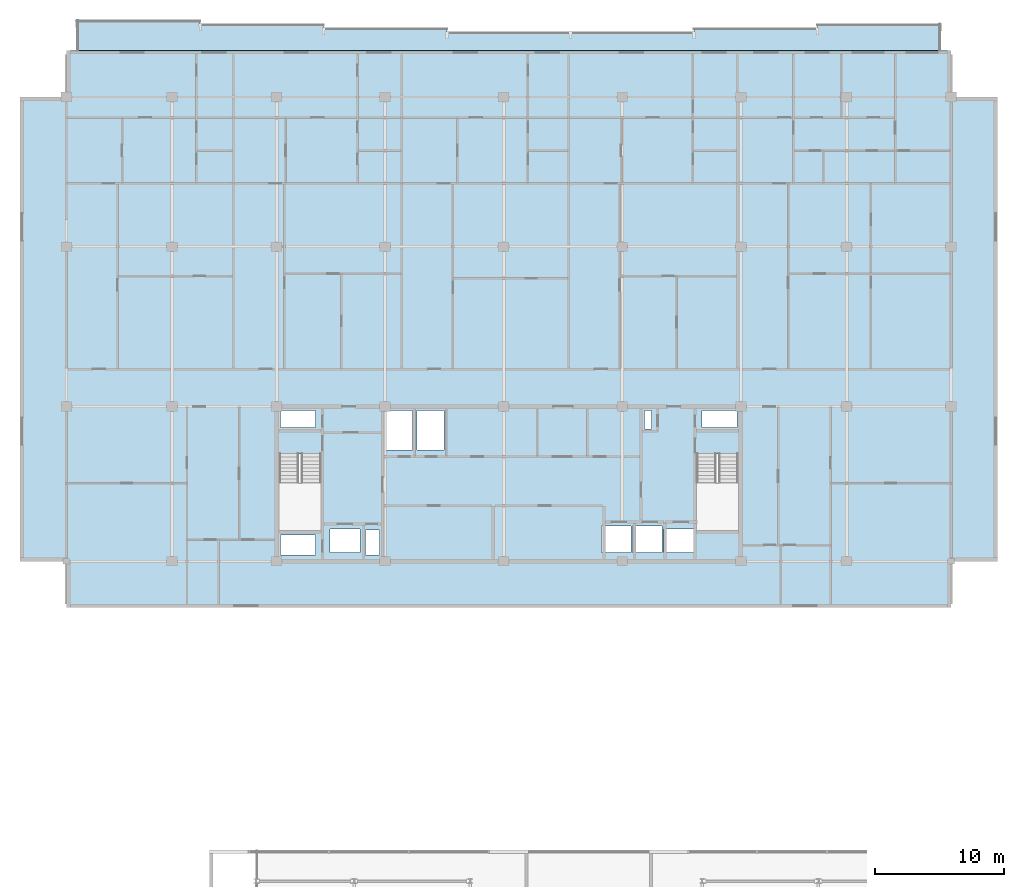
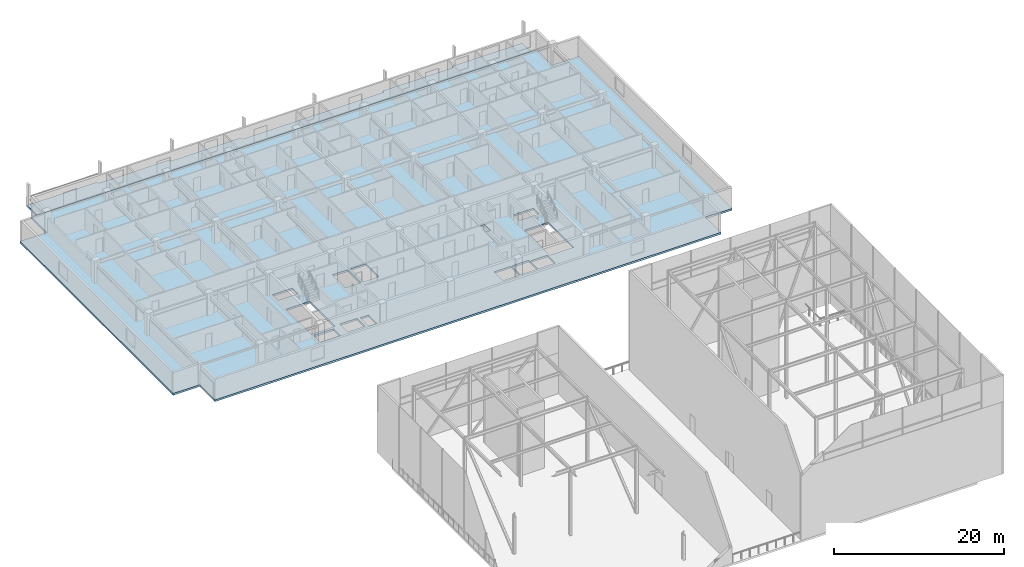
# One storey, part 31 of 42: 2 slabs.
"""IFC4 building model written with IfcOpenShell, lengths in metres."""

import ifcopenshell
import ifcopenshell.guid

model = None  # the IFC model being written
_history = None  # IfcOwnerHistory: only IFC2X3 demands one
_inside = {}  # id of a spatial element -> (the spatial element, [elements in it])
_under = {}  # id of a project, library or spatial element -> (it, [spatial elements below it])
_declared = {}  # id of a project -> (the project, [libraries it declares])
_typed = {}  # id of a type object -> (the type object, [elements of that type])
_made_of = {}  # id of a material, layer set ... -> (it, [elements and type objects made of it])


def new_model(schema):
    """Start an empty IFC model of exactly this schema.

    Asked for "IFC4X3", IfcOpenShell would pick the latest addendum, in which some entities
    have other attributes; the version numbers below select the first issue.
    IFC2X3 requires an IfcOwnerHistory on every rooted entity: one is made here for all.
    """
    global model, _history
    if schema == "IFC4X3":
        model = ifcopenshell.file(schema_version=(4, 3, 0, 0))
    else:
        model = ifcopenshell.file(schema=schema)
    _inside.clear()
    _under.clear()
    _declared.clear()
    _typed.clear()
    _made_of.clear()
    _history = None
    if model.schema == "IFC2X3":
        org = make("IfcOrganization", Name="unknown")
        user = make(
            "IfcPersonAndOrganization",
            ThePerson=make("IfcPerson", FamilyName="unknown"),
            TheOrganization=org,
        )
        app = make(
            "IfcApplication",
            ApplicationDeveloper=org,
            Version="unknown",
            ApplicationFullName="unknown",
            ApplicationIdentifier="unknown",
        )
        _history = make(
            "IfcOwnerHistory",
            OwningUser=user,
            OwningApplication=app,
            ChangeAction="ADDED",
            CreationDate=0,
        )
    return model


def make(cls, **values):
    """One entity of the class cls with the attributes given. An attribute that is None is left unset."""
    return model.create_entity(
        cls, **{name: value for name, value in values.items() if value is not None}
    )


def rooted(cls, **values):
    """An entity with a GlobalId (a new one), such as an element, a storey or a relation."""
    return make(cls, GlobalId=ifcopenshell.guid.new(), OwnerHistory=_history, **values)


def si_unit(unit_type, name, prefix=None):
    """IfcSIUnit, for example si_unit("LENGTHUNIT", "METRE", prefix="MILLI")."""
    return make("IfcSIUnit", UnitType=unit_type, Prefix=prefix, Name=name)


def assignment(units):
    """IfcUnitAssignment: the units of a project."""
    return None if units is None else make("IfcUnitAssignment", Units=units)


def point(xyz):
    """IfcCartesianPoint."""
    return None if xyz is None else make("IfcCartesianPoint", Coordinates=xyz)


def direction(xyz):
    """IfcDirection."""
    return None if xyz is None else make("IfcDirection", DirectionRatios=xyz)


def frame(location, z_axis=None, x_axis=None):
    """IfcAxis2Placement3D, a coordinate frame: its origin and axes. An axis left out is left unset."""
    return make(
        "IfcAxis2Placement3D",
        Location=point(location),
        Axis=direction(z_axis),
        RefDirection=direction(x_axis),
    )


def origin():
    """The frame at (0, 0, 0) with its axes left unset."""
    return frame((0.0, 0.0, 0.0))


def place(relative_to, where):
    """IfcLocalPlacement: puts the frame where relative to a parent placement (None: the world)."""
    return make(
        "IfcLocalPlacement", PlacementRelTo=relative_to, RelativePlacement=where
    )


def context(
    kind, dimensions, precision=None, world=None, true_north=None, identifier=None
):
    """IfcGeometricRepresentationContext, for example the 3D "Model" context."""
    return make(
        "IfcGeometricRepresentationContext",
        ContextIdentifier=identifier,
        ContextType=kind,
        CoordinateSpaceDimension=dimensions,
        Precision=precision,
        WorldCoordinateSystem=world,
        TrueNorth=true_north,
    )


def subcontext(parent, identifier, kind, view, scale=None):
    """IfcGeometricRepresentationSubContext, for example "Body" below "Model"."""
    return make(
        "IfcGeometricRepresentationSubContext",
        ContextIdentifier=identifier,
        ContextType=kind,
        ParentContext=parent,
        TargetScale=scale,
        TargetView=view,
    )


def project(units=None, contexts=None):
    """IfcProject with its units and contexts."""
    return rooted(
        "IfcProject",
        Name="project",
        RepresentationContexts=contexts,
        UnitsInContext=assignment(units),
    )


def spatial(cls, under=None, at=None, **own):
    """A site, building, storey or space (cls), placed at a placement, below another one or the project."""
    s = rooted(cls, ObjectPlacement=at, **own)
    if under is not None:
        _under.setdefault(under.id(), (under, []))[1].append(s)
    return s


def polyline(points):
    """IfcPolyline through the points."""
    return make("IfcPolyline", Points=[point(p) for p in points])


def outline(outer, holes=None, kind="AREA"):
    """IfcArbitraryClosedProfileDef: a profile drawn as a closed curve; with holes, ...WithVoids."""
    if holes is None:
        return make("IfcArbitraryClosedProfileDef", ProfileType=kind, OuterCurve=outer)
    return make(
        "IfcArbitraryProfileDefWithVoids",
        ProfileType=kind,
        OuterCurve=outer,
        InnerCurves=holes,
    )


def extrude(swept, where, along, depth):
    """IfcExtrudedAreaSolid: the profile swept, set in the frame where, extruded along a direction by depth."""
    return make(
        "IfcExtrudedAreaSolid",
        SweptArea=swept,
        Position=where,
        ExtrudedDirection=direction(along),
        Depth=depth,
    )


def shape(context_of_items, identifier, shape_type, items):
    """IfcShapeRepresentation: the items that make up one representation, for example the "Body"."""
    return make(
        "IfcShapeRepresentation",
        ContextOfItems=context_of_items,
        RepresentationIdentifier=identifier,
        RepresentationType=shape_type,
        Items=items,
    )


def material(Name=None, Category=None):
    """IfcMaterial."""
    return make("IfcMaterial", Name=Name, Category=Category)


def layer(
    of_material, thickness, ventilated=None, Name=None, Category=None, Priority=None
):
    """IfcMaterialLayer: one layer of a wall or slab, of a material (None: an air gap)."""
    return make(
        "IfcMaterialLayer",
        Material=of_material,
        LayerThickness=thickness,
        IsVentilated=ventilated,
        Name=Name,
        Category=Category,
        Priority=Priority,
    )


def layer_set(layers, Name=None):
    """IfcMaterialLayerSet."""
    return make("IfcMaterialLayerSet", MaterialLayers=layers, LayerSetName=Name)


def made_of(thing, what):
    """Note that an element or type object is made of a material, layer set ...; save() writes the relation."""
    if what is not None:
        _made_of.setdefault(what.id(), (what, []))[1].append(thing)
    return thing


def type_object(cls, material=None, **own):
    """A type object (cls), such as IfcWallType, which elements share."""
    return made_of(rooted(cls, **own), material)


def element(
    cls,
    number,
    at=None,
    inside=None,
    cuts=None,
    type_object=None,
    material=None,
    context=None,
    identifier="Body",
    shape_type=None,
    held_by="IfcProductDefinitionShape",
    body=None,
    shapes=None,
    **own,
):
    """One element of the class cls, such as IfcWall. Its Tag is "e" and its number.

    at: its placement. inside: the storey or other place that contains it. cuts: it is an
    opening in that element (IfcRelVoidsElement). A single representation is given by context,
    identifier, shape_type and body (its items); several are given by shapes. held_by: the class
    of the entity that holds the representations. save() writes the other relations.
    """
    e = rooted(cls, Tag="e%d" % number, ObjectPlacement=at, **own)
    if body is not None:
        shapes = [shape(context, identifier, shape_type, body)]
    if shapes is not None:
        e.Representation = make(held_by, Representations=shapes)
    if inside is not None:
        _inside.setdefault(inside.id(), (inside, []))[1].append(e)
    if cuts is not None:
        rooted(
            "IfcRelVoidsElement", RelatingBuildingElement=cuts, RelatedOpeningElement=e
        )
    if type_object is not None:
        _typed.setdefault(type_object.id(), (type_object, []))[1].append(e)
    return made_of(e, material)


def aggregate(whole, parts):
    """IfcRelAggregates: a whole, such as a stair, and the parts it consists of."""
    return rooted("IfcRelAggregates", RelatingObject=whole, RelatedObjects=parts)


def save(model, path):
    """Write the relations noted so far, then the file.

    IfcRelAggregates (storeys below a building ...), IfcRelContainedInSpatialStructure (elements
    in a storey), IfcRelDefinesByType, IfcRelAssociatesMaterial and IfcRelDeclares: one each for
    every whole, place, type object, material and project.
    """
    for whole, parts in _under.values():
        aggregate(whole, parts)
    for where, things in _inside.values():
        rooted(
            "IfcRelContainedInSpatialStructure",
            RelatedElements=things,
            RelatingStructure=where,
        )
    for kind, things in _typed.values():
        rooted("IfcRelDefinesByType", RelatedObjects=things, RelatingType=kind)
    for what, things in _made_of.values():
        rooted("IfcRelAssociatesMaterial", RelatedObjects=things, RelatingMaterial=what)
    for by, libraries in _declared.values():
        rooted("IfcRelDeclares", RelatingContext=by, RelatedDefinitions=libraries)
    model.write(path)


model = new_model("IFC4")

# Units and contexts
model_context = context("Model", 3, precision=1e-05, world=origin(), true_north=direction((0.0, 1.0)))
body_context = subcontext(model_context, "Body", "Model", "MODEL_VIEW")
ifc_project = project(units=[si_unit("LENGTHUNIT", "METRE"), si_unit("AREAUNIT", "SQUARE_METRE"), si_unit("VOLUMEUNIT", "CUBIC_METRE"), si_unit("PLANEANGLEUNIT", "RADIAN"), si_unit("MASSUNIT", "GRAM", prefix="KILO")], contexts=[model_context])

# Site, building, storey
site_placement = place(None, origin())
site = spatial("IfcSite", under=ifc_project, at=site_placement, CompositionType="ELEMENT")
building_placement = place(site_placement, origin())
building = spatial("IfcBuilding", under=site, at=building_placement, Name="Korimba Cascade Residences", CompositionType="ELEMENT")
storey_placement = place(building_placement, frame((0.0, 0.0, 207.60009765625)))
storey = spatial("IfcBuildingStorey", under=building, at=storey_placement, Name="L60", CompositionType="ELEMENT", Elevation=207.60009765625)

# Slabs
ifc_material_1 = material(Name="Precast concrete C40/50", Category="concrete")
ifc_layer_1 = layer(ifc_material_1, 0.239990234375)
ifc_layer_set_1 = layer_set([ifc_layer_1], Name="Precast concrete C40/50")
slab_type_1 = type_object("IfcSlabType", Name="SLB-LOG-240", PredefinedType="FLOOR", material=ifc_layer_set_1)
slab_1_placement = place(storey_placement, frame((0.0, 0.0, -0.239990234375)))
element("IfcSlab", 1, at=slab_1_placement, inside=storey, type_object=slab_type_1, Name="L60 Tower 1 North Loggia Slab", PredefinedType="FLOOR", context=body_context, shape_type="SweptSolid", body=[
    extrude(outline(polyline([(60.60009765625, 94.800048828125), (127.60009765625, 94.800048828125), (127.60009765625, 96.85009765625), (118.028564453125, 96.85009765625), (118.028564453125, 96.550048828125), (108.45703125, 96.550048828125), (108.45703125, 96.25), (89.314208984375, 96.25), (89.314208984375, 96.550048828125), (79.742919921875, 96.550048828125), (79.742919921875, 96.85009765625), (70.17138671875, 96.85009765625), (70.17138671875, 97.14990234375), (60.60009765625, 97.14990234375), (60.60009765625, 94.800048828125)])), origin(), (0.0, 0.0, 1.0), 0.239990234375),
])
ifc_material_2 = material(Name="Concrete C50/60", Category="concrete")
ifc_layer_2 = layer(ifc_material_2, 0.280029296875)
ifc_layer_set_2 = layer_set([ifc_layer_2], Name="Concrete C50/60")
slab_type_2 = type_object("IfcSlabType", Name="SLB-TYP-280", PredefinedType="FLOOR", material=ifc_layer_set_2)
slab_2_placement = place(storey_placement, frame((0.0, 0.0, -0.27001953125)))
element("IfcSlab", 2, at=slab_2_placement, inside=storey, type_object=slab_type_2, Name="L60 Tower 1 Floor Slab", PredefinedType="FLOOR", context=body_context, shape_type="SweptSolid", body=[
    extrude(outline(polyline([(59.800048828125, 51.60009765625), (128.39990234375, 51.60009765625), (128.39990234375, 55.199951171875), (132.0, 55.199951171875), (132.0, 91.199951171875), (128.39990234375, 91.199951171875), (128.39990234375, 94.800048828125), (59.800048828125, 94.800048828125), (59.800048828125, 91.199951171875), (56.199951171875, 91.199951171875), (56.199951171875, 55.199951171875), (59.800048828125, 55.199951171875), (59.800048828125, 51.60009765625)]), holes=[polyline([(76.300048828125, 63.514892578125), (76.300048828125, 57.60009765625), (79.5400390625, 57.60009765625), (79.5400390625, 63.514892578125), (76.300048828125, 63.514892578125)]), polyline([(108.659912109375, 63.514892578125), (108.659912109375, 57.60009765625), (111.89990234375, 57.60009765625), (111.89990234375, 63.514892578125), (108.659912109375, 63.514892578125)]), polyline([(80.22998046875, 55.8798828125), (82.570068359375, 55.8798828125), (82.570068359375, 57.719970703125), (80.22998046875, 57.719970703125), (80.22998046875, 55.8798828125)]), polyline([(106.080078125, 55.8798828125), (108.419921875, 55.8798828125), (108.419921875, 57.719970703125), (106.080078125, 57.719970703125), (106.080078125, 55.8798828125)]), polyline([(101.304931640625, 55.8798828125), (103.594970703125, 55.8798828125), (103.594970703125, 57.919921875), (101.304931640625, 57.919921875), (101.304931640625, 55.8798828125)]), polyline([(103.705078125, 55.8798828125), (105.9951171875, 55.8798828125), (105.9951171875, 57.919921875), (103.705078125, 57.919921875), (103.705078125, 55.8798828125)]), polyline([(82.97998046875, 55.679931640625), (84.080078125, 55.679931640625), (84.080078125, 57.6201171875), (82.97998046875, 57.6201171875), (82.97998046875, 55.679931640625)]), polyline([(76.39990234375, 65.56005859375), (79.10009765625, 65.56005859375), (79.10009765625, 66.8798828125), (76.39990234375, 66.8798828125), (76.39990234375, 65.56005859375)]), polyline([(76.39990234375, 55.679931640625), (79.10009765625, 55.679931640625), (79.10009765625, 57.239990234375), (76.39990234375, 57.239990234375), (76.39990234375, 55.679931640625)]), polyline([(84.530029296875, 63.820068359375), (86.6201171875, 63.820068359375), (86.6201171875, 66.8798828125), (84.530029296875, 66.8798828125), (84.530029296875, 63.820068359375)]), polyline([(86.97998046875, 63.820068359375), (89.070068359375, 63.820068359375), (89.070068359375, 66.8798828125), (86.97998046875, 66.8798828125), (86.97998046875, 63.820068359375)]), polyline([(104.6201171875, 65.4599609375), (105.179931640625, 65.4599609375), (105.179931640625, 66.8798828125), (104.6201171875, 66.8798828125), (104.6201171875, 65.4599609375)]), polyline([(109.080078125, 65.56005859375), (111.800048828125, 65.56005859375), (111.800048828125, 66.8798828125), (109.080078125, 66.8798828125), (109.080078125, 65.56005859375)])]), origin(), (0.0, 0.0, 1.0), 0.27001953125),
])

save(model, "model.ifc")
